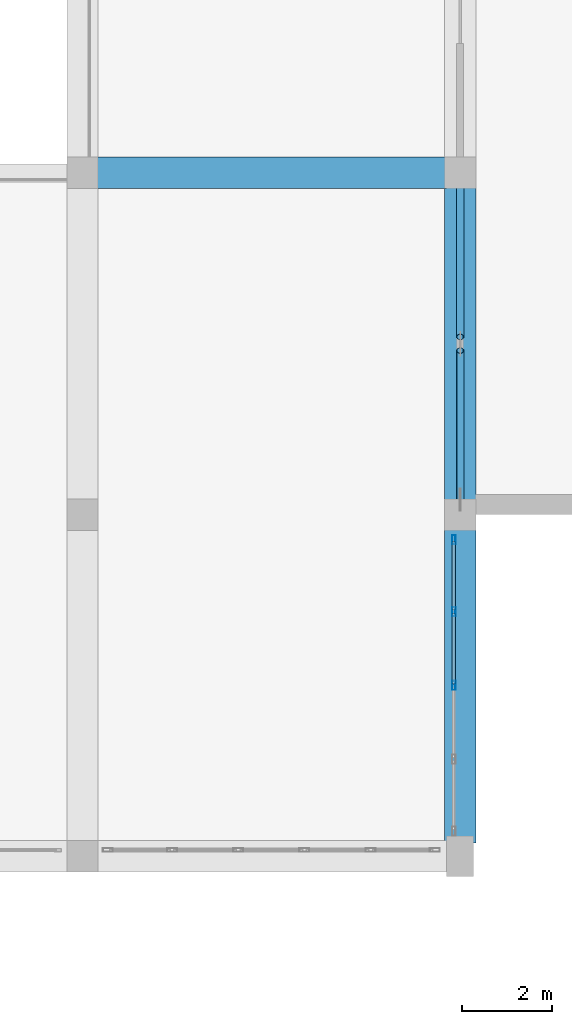
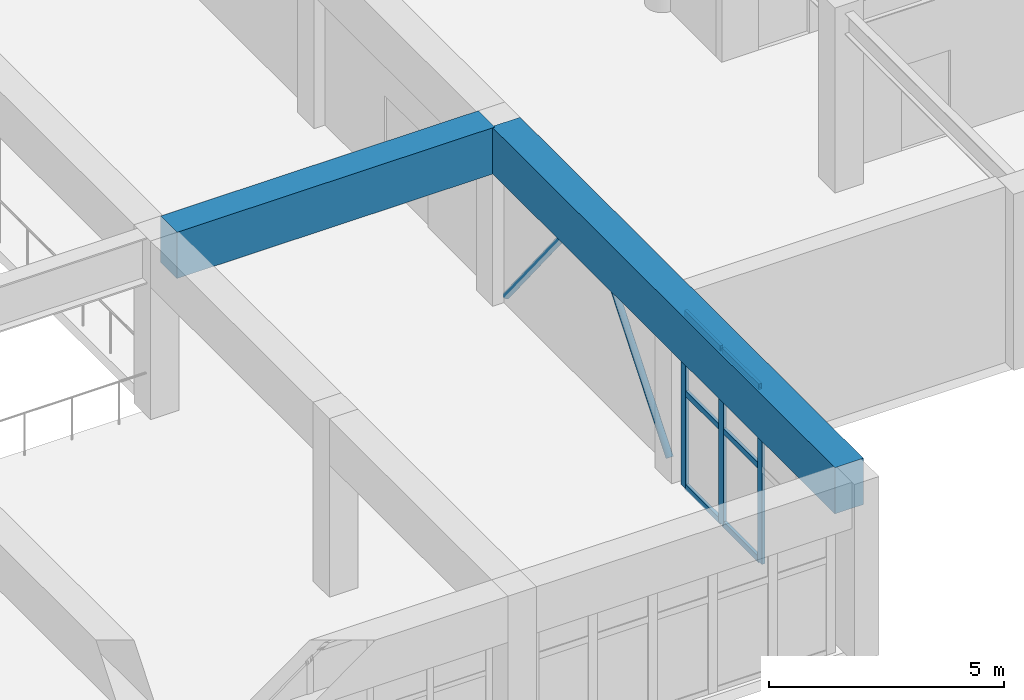
# One storey, part 22 of 72: 11 members, 2 beams, 1 element without a shape of its own.
"""IFC4 building model written with IfcOpenShell, lengths in metres."""

from ifc_helpers import new_model, si_unit, direction, frame, origin, origin_2d, place, context, subcontext, project, spatial, rectangle, hollow_rectangle, hollow_circle, extrude, material, layer, layer_set, material_profile, profile_set, type_object, element, aggregate, save


model = new_model("IFC4")

# Units and contexts
model_context = context("Model", 3, precision=1e-05, world=origin(), true_north=direction((0.0, 1.0)))
body_context = subcontext(model_context, "Body", "Model", "MODEL_VIEW")
ifc_project = project(units=[si_unit("LENGTHUNIT", "METRE"), si_unit("AREAUNIT", "SQUARE_METRE"), si_unit("VOLUMEUNIT", "CUBIC_METRE"), si_unit("PLANEANGLEUNIT", "RADIAN"), si_unit("MASSUNIT", "GRAM", prefix="KILO")], contexts=[model_context])

# Site, building, storey
site_placement = place(None, origin())
site = spatial("IfcSite", under=ifc_project, at=site_placement, CompositionType="ELEMENT")
building_placement = place(site_placement, origin())
building = spatial("IfcBuilding", under=site, at=building_placement, Name="Xicomal Pleat Aquarium", CompositionType="ELEMENT")
storey_placement = place(building_placement, frame((0.0, 0.0, 10.5)))
storey = spatial("IfcBuildingStorey", under=building, at=storey_placement, Name="L03", CompositionType="ELEMENT", Elevation=10.5)

# Beams
ifc_material_1 = material(Name="Concrete C45/55", Category="concrete")
ifc_material_profile_1 = material_profile(ifc_material_1, rectangle(XDim=0.699951171875, YDim=1.199951171875, at=origin_2d()), Name="RC 700x1200")
ifc_profile_set_1 = profile_set([ifc_material_profile_1], Name="Concrete C45/55")
beam_type = type_object("IfcBeamType", Name="BM-RC-700x1200", PredefinedType="SPANDREL", material=ifc_profile_set_1)
beam_1_placement = place(storey_placement, frame((86.10009765625, 45.60009765625, 4.034912109375), z_axis=(1.0, 0.0, 0.0), x_axis=(0.0, 1.0, 0.0)))
element("IfcBeam", 1, at=beam_1_placement, inside=storey, type_object=beam_type, Name="Ocean hall shell edge girder 11-12/G", PredefinedType="SPANDREL", context=body_context, shape_type="SweptSolid", body=[
    extrude(rectangle(XDim=0.699951171875, YDim=1.199951171875, at=origin_2d()), origin(), (0.0, 0.0, 1.0), 7.7998046875),
])
beam_2_placement = place(storey_placement, frame((94.199951171875, 30.699951171875, 4.034912109375), z_axis=(0.0, 1.0, 0.0), x_axis=(-1.0, 0.0, 0.0)))
element("IfcBeam", 2, at=beam_2_placement, inside=storey, type_object=beam_type, Name="Ocean hall visible shell edge beam 12 E-G", PredefinedType="SPANDREL", context=body_context, shape_type="SweptSolid", body=[
    extrude(rectangle(XDim=0.699951171875, YDim=1.199951171875, at=origin_2d()), origin(), (0.0, 0.0, 1.0), 14.60009765625),
])

# Curtain wall, members
ifc_material_2 = material(Name="Bronze anodized aluminium 6063-T6", Category="aluminium")
ifc_layer = layer(ifc_material_2, 0.159912109375)
ifc_layer_set = layer_set([ifc_layer], Name="Bronze anodized aluminium 6063-T6")
curtain_wall_type = type_object("IfcCurtainWallType", Name="CW-SYS-08", PredefinedType="NOTDEFINED", material=ifc_layer_set)
curtain_wall_placement = place(storey_placement, origin())
curtain_wall = element("IfcCurtainWall", 3, at=curtain_wall_placement, inside=storey, type_object=curtain_wall_type, Name="L03 unitised curtain wall CW-L03-163", PredefinedType="NOTDEFINED")
ifc_material_3 = material(Name="Bronze anodized aluminium 6063-T6", Category="aluminium")
ifc_material_profile_2 = material_profile(ifc_material_3, hollow_rectangle(XDim=0.074951171875, YDim=0.199951171875, WallThickness=0.00439453125, at=origin_2d()), Name="ALU MULL 75x200")
ifc_profile_set_2 = profile_set([ifc_material_profile_2], Name="Bronze anodized aluminium 6063-T6")
member_type_1 = type_object("IfcMemberType", Name="CWM-75x200", PredefinedType="MULLION", material=ifc_profile_set_2)
member_1_placement = place(storey_placement, frame((94.06005859375, 37.4423828125, 0.0), z_axis=(0.0, 0.0, 1.0), x_axis=(1.0, 0.0, 0.0)))
member_1 = element("IfcMember", 4, at=member_1_placement, type_object=member_type_1, Name="CW-08 mullion 1", PredefinedType="MULLION", context=body_context, shape_type="SweptSolid", body=[
    extrude(hollow_rectangle(XDim=0.074951171875, YDim=0.199951171875, WallThickness=0.00439453125, at=origin_2d()), origin(), (0.0, 0.0, 1.0), 4.56005859375),
])
member_2_placement = place(storey_placement, frame((94.06005859375, 35.840087890625, 0.0), z_axis=(0.0, 0.0, 1.0), x_axis=(1.0, 0.0, 0.0)))
member_2 = element("IfcMember", 5, at=member_2_placement, type_object=member_type_1, Name="CW-08 mullion 2", PredefinedType="MULLION", context=body_context, shape_type="SweptSolid", body=[
    extrude(hollow_rectangle(XDim=0.074951171875, YDim=0.199951171875, WallThickness=0.00439453125, at=origin_2d()), origin(), (0.0, 0.0, 1.0), 4.56005859375),
])
member_3_placement = place(storey_placement, frame((94.06005859375, 34.199951171875, 0.0), z_axis=(0.0, 0.0, 1.0), x_axis=(1.0, 0.0, 0.0)))
member_3 = element("IfcMember", 6, at=member_3_placement, type_object=member_type_1, Name="CW-08 mullion 3", PredefinedType="MULLION", context=body_context, shape_type="SweptSolid", body=[
    extrude(hollow_rectangle(XDim=0.074951171875, YDim=0.199951171875, WallThickness=0.00439453125, at=origin_2d()), origin(), (0.0, 0.0, 1.0), 4.56005859375),
])
ifc_material_4 = material(Name="Bronze anodized aluminium 6063-T6", Category="aluminium")
ifc_material_profile_3 = material_profile(ifc_material_4, hollow_rectangle(XDim=0.074951171875, YDim=0.14990234375, WallThickness=0.00439453125, at=origin_2d()), Name="ALU TRAN 75x150")
ifc_profile_set_3 = profile_set([ifc_material_profile_3], Name="Bronze anodized aluminium 6063-T6")
member_type_2 = type_object("IfcMemberType", Name="CWT-75x150", PredefinedType="USERDEFINED", material=ifc_profile_set_3)
member_4_placement = place(storey_placement, frame((94.06005859375, 37.405029296875, 0.03759765625), z_axis=(0.0, -1.0, 0.0), x_axis=(1.0, 0.0, 0.0)))
member_4 = element("IfcMember", 7, at=member_4_placement, type_object=member_type_2, Name="CW-08 transom 1.1", ObjectType="TRANSOM", PredefinedType="USERDEFINED", context=body_context, shape_type="SweptSolid", body=[
    extrude(hollow_rectangle(XDim=0.074951171875, YDim=0.14990234375, WallThickness=0.00439453125, at=origin_2d()), origin(), (0.0, 0.0, 1.0), 1.527587890625),
])
member_5_placement = place(storey_placement, frame((94.06005859375, 37.405029296875, 2.4619140625), z_axis=(0.0, -1.0, 0.0), x_axis=(1.0, 0.0, 0.0)))
member_5 = element("IfcMember", 8, at=member_5_placement, type_object=member_type_2, Name="CW-08 transom 1.2", ObjectType="TRANSOM", PredefinedType="USERDEFINED", context=body_context, shape_type="SweptSolid", body=[
    extrude(hollow_rectangle(XDim=0.074951171875, YDim=0.14990234375, WallThickness=0.00439453125, at=origin_2d()), origin(), (0.0, 0.0, 1.0), 1.527587890625),
])
member_6_placement = place(storey_placement, frame((94.06005859375, 37.405029296875, 4.5224609375), z_axis=(0.0, -1.0, 0.0), x_axis=(1.0, 0.0, 0.0)))
member_6 = element("IfcMember", 9, at=member_6_placement, type_object=member_type_2, Name="CW-08 transom 1.3", ObjectType="TRANSOM", PredefinedType="USERDEFINED", context=body_context, shape_type="SweptSolid", body=[
    extrude(hollow_rectangle(XDim=0.074951171875, YDim=0.14990234375, WallThickness=0.00439453125, at=origin_2d()), origin(), (0.0, 0.0, 1.0), 1.527587890625),
])
member_7_placement = place(storey_placement, frame((94.06005859375, 35.802490234375, 0.03759765625), z_axis=(0.0, -1.0, 0.0), x_axis=(1.0, 0.0, 0.0)))
member_7 = element("IfcMember", 10, at=member_7_placement, type_object=member_type_2, Name="CW-08 transom 2.1", ObjectType="TRANSOM", PredefinedType="USERDEFINED", context=body_context, shape_type="SweptSolid", body=[
    extrude(hollow_rectangle(XDim=0.074951171875, YDim=0.14990234375, WallThickness=0.00439453125, at=origin_2d()), origin(), (0.0, 0.0, 1.0), 1.56494140625),
])
member_8_placement = place(storey_placement, frame((94.06005859375, 35.802490234375, 2.4619140625), z_axis=(0.0, -1.0, 0.0), x_axis=(1.0, 0.0, 0.0)))
member_8 = element("IfcMember", 11, at=member_8_placement, type_object=member_type_2, Name="CW-08 transom 2.2", ObjectType="TRANSOM", PredefinedType="USERDEFINED", context=body_context, shape_type="SweptSolid", body=[
    extrude(hollow_rectangle(XDim=0.074951171875, YDim=0.14990234375, WallThickness=0.00439453125, at=origin_2d()), origin(), (0.0, 0.0, 1.0), 1.56494140625),
])
member_9_placement = place(storey_placement, frame((94.06005859375, 35.802490234375, 4.5224609375), z_axis=(0.0, -1.0, 0.0), x_axis=(1.0, 0.0, 0.0)))
member_9 = element("IfcMember", 12, at=member_9_placement, type_object=member_type_2, Name="CW-08 transom 2.3", ObjectType="TRANSOM", PredefinedType="USERDEFINED", context=body_context, shape_type="SweptSolid", body=[
    extrude(hollow_rectangle(XDim=0.074951171875, YDim=0.14990234375, WallThickness=0.00439453125, at=origin_2d()), origin(), (0.0, 0.0, 1.0), 1.56494140625),
])
aggregate(curtain_wall, [member_1, member_2, member_3, member_4, member_5, member_6, member_7, member_8, member_9])

# Members
ifc_material_5 = material(Name="Structural steel A500 Gr C", Category="steel")
ifc_material_profile_4 = material_profile(ifc_material_5, hollow_circle(Radius=0.083984375, WallThickness=0.010009765625, at=origin_2d()), Name="OC 168x10")
ifc_profile_set_4 = profile_set([ifc_material_profile_4], Name="Structural steel A500 Gr C")
member_type_3 = type_object("IfcMemberType", Name="MEM-BR-OC168", PredefinedType="BRACE", material=ifc_profile_set_4)
member_10_placement = place(storey_placement, frame((94.199951171875, 38.330078125, 0.14990234375), z_axis=(0.0, 0.626052845318, 0.77978063253), x_axis=(-1.0, 0.0, 0.0)))
element("IfcMember", 13, at=member_10_placement, inside=storey, type_object=member_type_3, Name="L03 chevron brace 18A", PredefinedType="BRACE", context=body_context, shape_type="SweptSolid", body=[
    extrude(hollow_circle(Radius=0.083984375, WallThickness=0.010009765625, at=origin_2d()), origin(), (0.0, 0.0, 1.0), 5.302734375),
])
member_11_placement = place(storey_placement, frame((94.199951171875, 45.27001953125, 0.14990234375), z_axis=(0.0, -0.626080839132, 0.779758156656), x_axis=(1.0, 0.0, 0.0)))
element("IfcMember", 14, at=member_11_placement, inside=storey, type_object=member_type_3, Name="L03 chevron brace 18B", PredefinedType="BRACE", context=body_context, shape_type="SweptSolid", body=[
    extrude(hollow_circle(Radius=0.083984375, WallThickness=0.010009765625, at=origin_2d()), origin(), (0.0, 0.0, 1.0), 5.302978515625),
])

save(model, "model.ifc")
